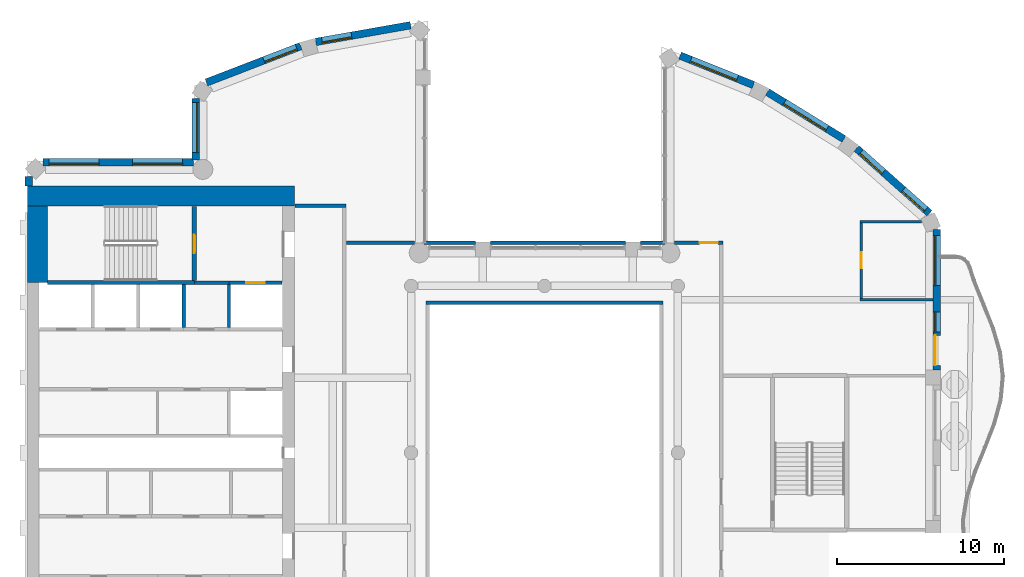
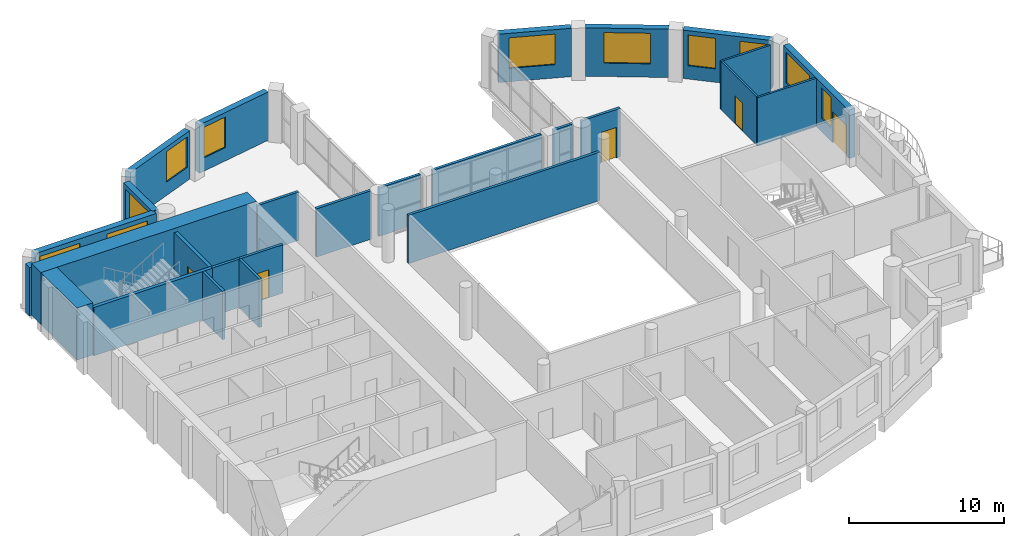
# One storey, part 7 of 14: 27 walls, 11 windows, 5 doors, 16 openings.
"""IFC4 building model written with IfcOpenShell, lengths in metres."""

from ifc_helpers import new_model, si_unit, direction, frame, frame_2d, origin, place, context, subcontext, project, spatial, rectangle, extrude, material, layer, layer_set, type_object, element, fill, save


model = new_model("IFC4")

# Units and contexts
model_context = context("Model", 3, precision=1e-05, world=origin(), true_north=direction((0.0, 1.0)))
body_context = subcontext(model_context, "Body", "Model", "MODEL_VIEW")
ifc_project = project(units=[si_unit("LENGTHUNIT", "METRE"), si_unit("AREAUNIT", "SQUARE_METRE"), si_unit("VOLUMEUNIT", "CUBIC_METRE"), si_unit("PLANEANGLEUNIT", "RADIAN"), si_unit("MASSUNIT", "GRAM", prefix="KILO")], contexts=[model_context])

# Site, building, storey
site_placement = place(None, origin())
site = spatial("IfcSite", under=ifc_project, at=site_placement, CompositionType="ELEMENT")
building_placement = place(site_placement, origin())
building = spatial("IfcBuilding", under=site, at=building_placement, Name="Cypress Arch Tower", CompositionType="ELEMENT")
storey_placement = place(building_placement, frame((0.0, 0.0, 325.39990234375)))
storey = spatial("IfcBuildingStorey", under=building, at=storey_placement, Name="L74", CompositionType="ELEMENT", Elevation=325.39990234375)

# Wall, opening, window
ifc_material_1 = material(Name="Brick (red buff blend)", Category="masonry")
ifc_layer_1 = layer(ifc_material_1, 0.449951171875)
ifc_layer_set_1 = layer_set([ifc_layer_1], Name="Brick pier and spandrel wall BW450")
wall_type_1 = type_object("IfcWallType", Name="Brick pier and spandrel wall BW450", PredefinedType="SOLIDWALL", material=ifc_layer_set_1)
wall_1_placement = place(storey_placement, frame((-7.028564453125, 25.63232421875, 0.0), z_axis=(0.0, 0.0, 1.0), x_axis=(-0.984797606634, -0.173705710808, 0.0)))
wall_1 = element("IfcWall", 1, at=wall_1_placement, inside=storey, type_object=wall_type_1, Name="Brick wall L74 C03.0", PredefinedType="SOLIDWALL", context=body_context, shape_type="SweptSolid", body=[
    extrude(rectangle(XDim=5.772216796875, YDim=0.449951171875, at=frame_2d((2.88623046875, 0.0))), origin(), (0.0, 0.0, 1.0), 3.800048828125),
])
opening_1_placement = place(wall_1_placement, frame((3.59326171875, 0.0, 1.050048828125)))
opening_1 = element("IfcOpeningElement", 2, at=opening_1_placement, cuts=wall_1, Name="Opening W180O", PredefinedType="OPENING", context=body_context, shape_type="SweptSolid", body=[
    extrude(rectangle(XDim=1.800048828125, YDim=2.39990234375, at=frame_2d((0.89990234375, 1.199951171875))), frame((0.0, 0.23486328125, 0.0), z_axis=(0.0, -1.0, 0.0), x_axis=(1.0, 0.0, 0.0)), (0.0, 0.0, 1.0), 0.469970703125),
])
ifc_material_2 = material(Name="Anodised aluminium, bronze finish, clear low-emissivity double glazing", Category="aluminium")
window_type_1 = type_object("IfcWindowType", Name="Window Office 1800x2400", PartitioningType="SINGLE_PANEL", PredefinedType="WINDOW", material=ifc_material_2)
window_1_placement = place(opening_1_placement, origin())
window_1 = element("IfcWindow", 3, at=window_1_placement, inside=storey, type_object=window_type_1, Name="Window L74 C03.0.2", OverallHeight=2.39990234375, OverallWidth=1.800048828125, PartitioningType="SINGLE_PANEL", PredefinedType="WINDOW", context=body_context, shape_type="SweptSolid", body=[
    extrude(rectangle(XDim=1.800048828125, YDim=2.39990234375, at=frame_2d((0.89990234375, 1.199951171875))), frame((0.0, 0.135009765625, 0.0), z_axis=(0.0, -1.0, 0.0), x_axis=(1.0, 0.0, 0.0)), (0.0, 0.0, 1.0), 0.06005859375),
])
fill(opening_1, window_1)

wall_2_placement = place(storey_placement, frame((-13.6220703125, 24.376953125, 0.0), z_axis=(0.0, 0.0, 1.0), x_axis=(-0.933129259679, -0.359541075164, 0.0)))
wall_2 = element("IfcWall", 4, at=wall_2_placement, inside=storey, type_object=wall_type_1, Name="Brick wall L74 C04.0", PredefinedType="SOLIDWALL", context=body_context, shape_type="SweptSolid", body=[
    extrude(rectangle(XDim=6.05419921875, YDim=0.449951171875, at=frame_2d((3.027099609375, 0.0))), origin(), (0.0, 0.0, 1.0), 3.800048828125),
])
opening_2_placement = place(wall_2_placement, frame((0.260986328125, 0.0, 1.050048828125)))
opening_2 = element("IfcOpeningElement", 5, at=opening_2_placement, cuts=wall_2, Name="Opening W210O", PredefinedType="OPENING", context=body_context, shape_type="SweptSolid", body=[
    extrude(rectangle(XDim=2.10009765625, YDim=2.39990234375, at=frame_2d((1.050048828125, 1.199951171875))), frame((0.0, 0.23486328125, 0.0), z_axis=(0.0, -1.0, 0.0), x_axis=(1.0, 0.0, 0.0)), (0.0, 0.0, 1.0), 0.469970703125),
])
ifc_material_3 = material(Name="Anodised aluminium, bronze finish, clear low-emissivity double glazing", Category="aluminium")
window_type_2 = type_object("IfcWindowType", Name="Window Office 2100x2400", PartitioningType="SINGLE_PANEL", PredefinedType="WINDOW", material=ifc_material_3)
window_2_placement = place(opening_2_placement, origin())
window_2 = element("IfcWindow", 6, at=window_2_placement, inside=storey, type_object=window_type_2, Name="Window L74 C04.0.1", OverallHeight=2.39990234375, OverallWidth=2.10009765625, PartitioningType="SINGLE_PANEL", PredefinedType="WINDOW", context=body_context, shape_type="SweptSolid", body=[
    extrude(rectangle(XDim=2.10009765625, YDim=2.39990234375, at=frame_2d((1.050048828125, 1.199951171875))), frame((0.0, 0.135009765625, 0.0), z_axis=(0.0, -1.0, 0.0), x_axis=(1.0, 0.0, 0.0)), (0.0, 0.0, 1.0), 0.06005859375),
])
fill(opening_2, window_2)

wall_3_placement = place(storey_placement, frame((-19.925048828125, 21.248291015625, 0.0), z_axis=(0.0, 0.0, 1.0), x_axis=(0.0, -1.0, 0.0)))
wall_3 = element("IfcWall", 7, at=wall_3_placement, inside=storey, type_object=wall_type_1, Name="Brick wall L74 C05.0", PredefinedType="SOLIDWALL", context=body_context, shape_type="SweptSolid", body=[
    extrude(rectangle(XDim=3.699951171875, YDim=0.449951171875, at=frame_2d((1.85009765625, 0.0))), origin(), (0.0, 0.0, 1.0), 3.800048828125),
])
opening_3_placement = place(wall_3_placement, frame((0.251220703125, 0.0, 1.050048828125)))
opening_3 = element("IfcOpeningElement", 8, at=opening_3_placement, cuts=wall_3, Name="Opening W300O", PredefinedType="OPENING", context=body_context, shape_type="SweptSolid", body=[
    extrude(rectangle(XDim=3.0, YDim=2.39990234375, at=frame_2d((1.5, 1.199951171875))), frame((0.0, 0.23486328125, 0.0), z_axis=(0.0, -1.0, 0.0), x_axis=(1.0, 0.0, 0.0)), (0.0, 0.0, 1.0), 0.469970703125),
])
ifc_material_4 = material(Name="Anodised aluminium, bronze finish, clear low-emissivity double glazing", Category="aluminium")
window_type_3 = type_object("IfcWindowType", Name="Window Office 3000x2400", PartitioningType="SINGLE_PANEL", PredefinedType="WINDOW", material=ifc_material_4)
window_3_placement = place(opening_3_placement, origin())
window_3 = element("IfcWindow", 9, at=window_3_placement, inside=storey, type_object=window_type_3, Name="Window L74 C05.0.1", OverallHeight=2.39990234375, OverallWidth=3.0, PartitioningType="SINGLE_PANEL", PredefinedType="WINDOW", context=body_context, shape_type="SweptSolid", body=[
    extrude(rectangle(XDim=3.0, YDim=2.39990234375, at=frame_2d((1.5, 1.199951171875))), frame((0.0, 0.135009765625, 0.0), z_axis=(0.0, -1.0, 0.0), x_axis=(1.0, 0.0, 0.0)), (0.0, 0.0, 1.0), 0.06005859375),
])
fill(opening_3, window_3)

# Wall, openings, windows
wall_4_placement = place(storey_placement, frame((-20.04833984375, 17.425048828125, 0.0), z_axis=(0.0, 0.0, 1.0), x_axis=(-1.0, 0.0, 0.0)))
wall_4 = element("IfcWall", 10, at=wall_4_placement, inside=storey, type_object=wall_type_1, Name="Brick wall L74 C06.0", PredefinedType="SOLIDWALL", context=body_context, shape_type="SweptSolid", body=[
    extrude(rectangle(XDim=9.015380859375, YDim=0.449951171875, at=frame_2d((4.5078125, 0.0))), origin(), (0.0, 0.0, 1.0), 3.800048828125),
])
opening_4_placement = place(wall_4_placement, frame((0.651611328125, 0.0, 1.050048828125)))
opening_4 = element("IfcOpeningElement", 11, at=opening_4_placement, cuts=wall_4, Name="Opening W300O", PredefinedType="OPENING", context=body_context, shape_type="SweptSolid", body=[
    extrude(rectangle(XDim=3.0, YDim=2.39990234375, at=frame_2d((1.5, 1.199951171875))), frame((0.0, 0.23486328125, 0.0), z_axis=(0.0, -1.0, 0.0), x_axis=(1.0, 0.0, 0.0)), (0.0, 0.0, 1.0), 0.469970703125),
])
opening_5_placement = place(wall_4_placement, frame((5.651611328125, 0.0, 1.050048828125)))
opening_5 = element("IfcOpeningElement", 12, at=opening_5_placement, cuts=wall_4, Name="Opening W300O", PredefinedType="OPENING", context=body_context, shape_type="SweptSolid", body=[
    extrude(rectangle(XDim=3.0, YDim=2.39990234375, at=frame_2d((1.5, 1.199951171875))), frame((0.0, 0.23486328125, 0.0), z_axis=(0.0, -1.0, 0.0), x_axis=(1.0, 0.0, 0.0)), (0.0, 0.0, 1.0), 0.469970703125),
])
window_4_placement = place(opening_4_placement, origin())
window_4 = element("IfcWindow", 13, at=window_4_placement, inside=storey, type_object=window_type_3, Name="Window L74 C06.0.1", OverallHeight=2.39990234375, OverallWidth=3.0, PartitioningType="SINGLE_PANEL", PredefinedType="WINDOW", context=body_context, shape_type="SweptSolid", body=[
    extrude(rectangle(XDim=3.0, YDim=2.39990234375, at=frame_2d((1.5, 1.199951171875))), frame((0.0, 0.135009765625, 0.0), z_axis=(0.0, -1.0, 0.0), x_axis=(1.0, 0.0, 0.0)), (0.0, 0.0, 1.0), 0.06005859375),
])
fill(opening_4, window_4)
window_5_placement = place(opening_5_placement, origin())
window_5 = element("IfcWindow", 14, at=window_5_placement, inside=storey, type_object=window_type_3, Name="Window L74 C06.0.2", OverallHeight=2.39990234375, OverallWidth=3.0, PartitioningType="SINGLE_PANEL", PredefinedType="WINDOW", context=body_context, shape_type="SweptSolid", body=[
    extrude(rectangle(XDim=3.0, YDim=2.39990234375, at=frame_2d((1.5, 1.199951171875))), frame((0.0, 0.135009765625, 0.0), z_axis=(0.0, -1.0, 0.0), x_axis=(1.0, 0.0, 0.0)), (0.0, 0.0, 1.0), 0.06005859375),
])
fill(opening_5, window_5)

# Wall
wall_5_placement = place(storey_placement, frame((-29.925048828125, 16.563720703125, 0.0), z_axis=(0.0, 0.0, 1.0), x_axis=(0.0, -1.0, 0.0)))
element("IfcWall", 15, at=wall_5_placement, inside=storey, type_object=wall_type_1, Name="Brick wall L74 C07.0", PredefinedType="SOLIDWALL", context=body_context, shape_type="SweptSolid", body=[
    extrude(rectangle(XDim=0.563720703125, YDim=0.449951171875, at=frame_2d((0.28173828125, 0.0))), origin(), (0.0, 0.0, 1.0), 3.800048828125),
])

# Wall, openings, door, windows
wall_6_placement = place(storey_placement, frame((24.52490234375, 4.949951171875, 0.0), z_axis=(0.0, 0.0, 1.0), x_axis=(0.0, 1.0, 0.0)))
wall_6 = element("IfcWall", 16, at=wall_6_placement, inside=storey, type_object=wall_type_1, Name="Brick wall L74 C17.2", PredefinedType="SOLIDWALL", context=body_context, shape_type="SweptSolid", body=[
    extrude(rectangle(XDim=8.421875, YDim=0.449951171875, at=frame_2d((4.2109375, 0.0))), origin(), (0.0, 0.0, 1.0), 3.800048828125),
])
opening_6_placement = place(wall_6_placement, frame((0.291259765625, 0.0, 0.0)))
opening_6 = element("IfcOpeningElement", 17, at=opening_6_placement, cuts=wall_6, Name="Opening D-L74-C17.2.1", PredefinedType="OPENING", context=body_context, shape_type="SweptSolid", body=[
    extrude(rectangle(XDim=1.800048828125, YDim=2.39990234375, at=frame_2d((0.89990234375, 1.199951171875))), frame((0.0, 0.23486328125, 0.0), z_axis=(0.0, -1.0, 0.0), x_axis=(1.0, 0.0, 0.0)), (0.0, 0.0, 1.0), 0.469970703125),
])
opening_7_placement = place(wall_6_placement, frame((2.291259765625, 0.0, 1.050048828125)))
opening_7 = element("IfcOpeningElement", 18, at=opening_7_placement, cuts=wall_6, Name="Opening W120OD", PredefinedType="OPENING", context=body_context, shape_type="SweptSolid", body=[
    extrude(rectangle(XDim=1.199951171875, YDim=2.39990234375, at=frame_2d((0.60009765625, 1.199951171875))), frame((0.0, 0.23486328125, 0.0), z_axis=(0.0, -1.0, 0.0), x_axis=(1.0, 0.0, 0.0)), (0.0, 0.0, 1.0), 0.469970703125),
])
opening_8_placement = place(wall_6_placement, frame((5.073974609375, 0.0, 1.050048828125)))
opening_8 = element("IfcOpeningElement", 19, at=opening_8_placement, cuts=wall_6, Name="Opening W300OD", PredefinedType="OPENING", context=body_context, shape_type="SweptSolid", body=[
    extrude(rectangle(XDim=3.0, YDim=2.39990234375, at=frame_2d((1.5, 1.199951171875))), frame((0.0, 0.23486328125, 0.0), z_axis=(0.0, -1.0, 0.0), x_axis=(1.0, 0.0, 0.0)), (0.0, 0.0, 1.0), 0.469970703125),
])
ifc_material_5 = material(Name="Anodised aluminium, bronze finish, laminated low-emissivity double glazing, large-missile impact rated", Category="aluminium")
door_type_1 = type_object("IfcDoorType", Name="Balcony sliding door 1800x2400", OperationType="SLIDING_TO_LEFT", PredefinedType="DOOR", material=ifc_material_5)
door_1_placement = place(opening_6_placement, origin())
door_1 = element("IfcDoor", 20, at=door_1_placement, inside=storey, type_object=door_type_1, Name="Balcony door L74 C17.2.1", OperationType="SLIDING_TO_LEFT", OverallHeight=2.39990234375, OverallWidth=1.800048828125, PredefinedType="DOOR", context=body_context, shape_type="SweptSolid", body=[
    extrude(rectangle(XDim=1.800048828125, YDim=2.39990234375, at=frame_2d((0.89990234375, 1.199951171875))), frame((0.0, 0.1298828125, 0.0), z_axis=(0.0, -1.0, 0.0), x_axis=(1.0, 0.0, 0.0)), (0.0, 0.0, 1.0), 0.050048828125),
])
fill(opening_6, door_1)
ifc_material_6 = material(Name="Anodised aluminium, bronze finish, laminated low-emissivity double glazing, large-missile impact rated", Category="aluminium")
window_type_4 = type_object("IfcWindowType", Name="Window Office 1200x2400 debris-rated", PartitioningType="SINGLE_PANEL", PredefinedType="WINDOW", material=ifc_material_6)
window_6_placement = place(opening_7_placement, origin())
window_6 = element("IfcWindow", 21, at=window_6_placement, inside=storey, type_object=window_type_4, Name="Window L74 C17.2.1", OverallHeight=2.39990234375, OverallWidth=1.199951171875, PartitioningType="SINGLE_PANEL", PredefinedType="WINDOW", context=body_context, shape_type="SweptSolid", body=[
    extrude(rectangle(XDim=1.199951171875, YDim=2.39990234375, at=frame_2d((0.60009765625, 1.199951171875))), frame((0.0, 0.135009765625, 0.0), z_axis=(0.0, -1.0, 0.0), x_axis=(1.0, 0.0, 0.0)), (0.0, 0.0, 1.0), 0.06005859375),
])
fill(opening_7, window_6)
ifc_material_7 = material(Name="Anodised aluminium, bronze finish, laminated low-emissivity double glazing, large-missile impact rated", Category="aluminium")
window_type_5 = type_object("IfcWindowType", Name="Window Office 3000x2400 debris-rated", PartitioningType="SINGLE_PANEL", PredefinedType="WINDOW", material=ifc_material_7)
window_7_placement = place(opening_8_placement, origin())
window_7 = element("IfcWindow", 22, at=window_7_placement, inside=storey, type_object=window_type_5, Name="Window L74 C17.2.2", OverallHeight=2.39990234375, OverallWidth=3.0, PartitioningType="SINGLE_PANEL", PredefinedType="WINDOW", context=body_context, shape_type="SweptSolid", body=[
    extrude(rectangle(XDim=3.0, YDim=2.39990234375, at=frame_2d((1.5, 1.199951171875))), frame((0.0, 0.135009765625, 0.0), z_axis=(0.0, -1.0, 0.0), x_axis=(1.0, 0.0, 0.0)), (0.0, 0.0, 1.0), 0.06005859375),
])
fill(opening_8, window_7)

# Wall, openings, windows
wall_7_placement = place(storey_placement, frame((24.08056640625, 14.361083984375, 0.0), z_axis=(0.0, 0.0, 1.0), x_axis=(-0.747570482973, 0.664182484704, 0.0)))
wall_7 = element("IfcWall", 23, at=wall_7_placement, inside=storey, type_object=wall_type_1, Name="Brick wall L74 C18.0", PredefinedType="SOLIDWALL", context=body_context, shape_type="SweptSolid", body=[
    extrude(rectangle(XDim=5.849609375, YDim=0.449951171875, at=frame_2d((2.9248046875, 0.0))), origin(), (0.0, 0.0, 1.0), 3.800048828125),
])
opening_9_placement = place(wall_7_placement, frame((0.305419921875, 0.0, 1.050048828125)))
opening_9 = element("IfcOpeningElement", 24, at=opening_9_placement, cuts=wall_7, Name="Opening W180O", PredefinedType="OPENING", context=body_context, shape_type="SweptSolid", body=[
    extrude(rectangle(XDim=1.800048828125, YDim=2.39990234375, at=frame_2d((0.89990234375, 1.199951171875))), frame((0.0, 0.23486328125, 0.0), z_axis=(0.0, -1.0, 0.0), x_axis=(1.0, 0.0, 0.0)), (0.0, 0.0, 1.0), 0.469970703125),
])
opening_10_placement = place(wall_7_placement, frame((3.702880859375, 0.0, 1.050048828125)))
opening_10 = element("IfcOpeningElement", 25, at=opening_10_placement, cuts=wall_7, Name="Opening W180O", PredefinedType="OPENING", context=body_context, shape_type="SweptSolid", body=[
    extrude(rectangle(XDim=1.800048828125, YDim=2.39990234375, at=frame_2d((0.89990234375, 1.199951171875))), frame((0.0, 0.23486328125, 0.0), z_axis=(0.0, -1.0, 0.0), x_axis=(1.0, 0.0, 0.0)), (0.0, 0.0, 1.0), 0.469970703125),
])
window_8_placement = place(opening_9_placement, origin())
window_8 = element("IfcWindow", 26, at=window_8_placement, inside=storey, type_object=window_type_1, Name="Window L74 C18.0.1", OverallHeight=2.39990234375, OverallWidth=1.800048828125, PartitioningType="SINGLE_PANEL", PredefinedType="WINDOW", context=body_context, shape_type="SweptSolid", body=[
    extrude(rectangle(XDim=1.800048828125, YDim=2.39990234375, at=frame_2d((0.89990234375, 1.199951171875))), frame((0.0, 0.135009765625, 0.0), z_axis=(0.0, -1.0, 0.0), x_axis=(1.0, 0.0, 0.0)), (0.0, 0.0, 1.0), 0.06005859375),
])
fill(opening_9, window_8)
window_9_placement = place(opening_10_placement, origin())
window_9 = element("IfcWindow", 27, at=window_9_placement, inside=storey, type_object=window_type_1, Name="Window L74 C18.0.2", OverallHeight=2.39990234375, OverallWidth=1.800048828125, PartitioningType="SINGLE_PANEL", PredefinedType="WINDOW", context=body_context, shape_type="SweptSolid", body=[
    extrude(rectangle(XDim=1.800048828125, YDim=2.39990234375, at=frame_2d((0.89990234375, 1.199951171875))), frame((0.0, 0.135009765625, 0.0), z_axis=(0.0, -1.0, 0.0), x_axis=(1.0, 0.0, 0.0)), (0.0, 0.0, 1.0), 0.06005859375),
])
fill(opening_10, window_9)

# Wall, opening, window
wall_8_placement = place(storey_placement, frame((18.953369140625, 18.806396484375, 0.0), z_axis=(0.0, 0.0, 1.0), x_axis=(-0.851860664503, 0.523768468193, 0.0)))
wall_8 = element("IfcWall", 28, at=wall_8_placement, inside=storey, type_object=wall_type_1, Name="Brick wall L74 C19.0", PredefinedType="SOLIDWALL", context=body_context, shape_type="SweptSolid", body=[
    extrude(rectangle(XDim=5.3837890625, YDim=0.449951171875, at=frame_2d((2.69189453125, 0.0))), origin(), (0.0, 0.0, 1.0), 3.800048828125),
])
opening_11_placement = place(wall_8_placement, frame((1.19189453125, 0.0, 1.050048828125)))
opening_11 = element("IfcOpeningElement", 29, at=opening_11_placement, cuts=wall_8, Name="Opening W300O", PredefinedType="OPENING", context=body_context, shape_type="SweptSolid", body=[
    extrude(rectangle(XDim=3.0, YDim=2.39990234375, at=frame_2d((1.5, 1.199951171875))), frame((0.0, 0.23486328125, 0.0), z_axis=(0.0, -1.0, 0.0), x_axis=(1.0, 0.0, 0.0)), (0.0, 0.0, 1.0), 0.469970703125),
])
window_10_placement = place(opening_11_placement, origin())
window_10 = element("IfcWindow", 30, at=window_10_placement, inside=storey, type_object=window_type_3, Name="Window L74 C19.0.1", OverallHeight=2.39990234375, OverallWidth=3.0, PartitioningType="SINGLE_PANEL", PredefinedType="WINDOW", context=body_context, shape_type="SweptSolid", body=[
    extrude(rectangle(XDim=3.0, YDim=2.39990234375, at=frame_2d((1.5, 1.199951171875))), frame((0.0, 0.135009765625, 0.0), z_axis=(0.0, -1.0, 0.0), x_axis=(1.0, 0.0, 0.0)), (0.0, 0.0, 1.0), 0.06005859375),
])
fill(opening_11, window_10)

wall_9_placement = place(storey_placement, frame((13.529296875, 22.04833984375, 0.0), z_axis=(0.0, 0.0, 1.0), x_axis=(-0.927957332619, 0.372686448424, 0.0)))
wall_9 = element("IfcWall", 31, at=wall_9_placement, inside=storey, type_object=wall_type_1, Name="Brick wall L74 C20.0", PredefinedType="SOLIDWALL", context=body_context, shape_type="SweptSolid", body=[
    extrude(rectangle(XDim=4.741455078125, YDim=0.449951171875, at=frame_2d((2.37060546875, 0.0))), origin(), (0.0, 0.0, 1.0), 3.800048828125),
])
opening_12_placement = place(wall_9_placement, frame((1.046630859375, 0.0, 1.050048828125)))
opening_12 = element("IfcOpeningElement", 32, at=opening_12_placement, cuts=wall_9, Name="Opening W300O", PredefinedType="OPENING", context=body_context, shape_type="SweptSolid", body=[
    extrude(rectangle(XDim=3.0, YDim=2.39990234375, at=frame_2d((1.5, 1.199951171875))), frame((0.0, 0.23486328125, 0.0), z_axis=(0.0, -1.0, 0.0), x_axis=(1.0, 0.0, 0.0)), (0.0, 0.0, 1.0), 0.469970703125),
])
window_11_placement = place(opening_12_placement, origin())
window_11 = element("IfcWindow", 33, at=window_11_placement, inside=storey, type_object=window_type_3, Name="Window L74 C20.0.1", OverallHeight=2.39990234375, OverallWidth=3.0, PartitioningType="SINGLE_PANEL", PredefinedType="WINDOW", context=body_context, shape_type="SweptSolid", body=[
    extrude(rectangle(XDim=3.0, YDim=2.39990234375, at=frame_2d((1.5, 1.199951171875))), frame((0.0, 0.135009765625, 0.0), z_axis=(0.0, -1.0, 0.0), x_axis=(1.0, 0.0, 0.0)), (0.0, 0.0, 1.0), 0.06005859375),
])
fill(opening_12, window_11)

# Walls
ifc_material_8 = material(Name="Concrete C60/75", Category="concrete")
ifc_layer_2 = layer(ifc_material_8, 1.199951171875)
ifc_layer_set_2 = layer_set([ifc_layer_2], Name="Core wall CW1200 C60/75")
wall_type_2 = type_object("IfcWallType", Name="Core wall CW1200 C60/75", PredefinedType="SHEAR", material=ifc_layer_set_2)
wall_10_placement = place(storey_placement, frame((-30.0, 15.39990234375, 0.0), z_axis=(0.0, 0.0, 1.0), x_axis=(1.0, 0.0, 0.0)))
element("IfcWall", 34, at=wall_10_placement, inside=storey, type_object=wall_type_2, Name="Core wall", PredefinedType="SHEAR", context=body_context, shape_type="SweptSolid", body=[
    extrude(rectangle(XDim=16.0, YDim=1.199951171875, at=frame_2d((8.0, 0.0))), origin(), (0.0, 0.0, 1.0), 4.10009765625),
])
wall_11_placement = place(storey_placement, frame((-29.39990234375, 10.199951171875, 0.0), z_axis=(0.0, 0.0, 1.0), x_axis=(0.0, 1.0, 0.0)))
element("IfcWall", 35, at=wall_11_placement, inside=storey, type_object=wall_type_2, Name="Core wall", PredefinedType="SHEAR", context=body_context, shape_type="SweptSolid", body=[
    extrude(rectangle(XDim=4.60009765625, YDim=1.199951171875, at=frame_2d((2.300048828125, 0.0))), origin(), (0.0, 0.0, 1.0), 4.10009765625),
])
ifc_material_9 = material(Name="Concrete blockwork, plastered, rated", Category="masonry")
ifc_layer_3 = layer(ifc_material_9, 0.199951171875)
ifc_layer_set_3 = layer_set([ifc_layer_3], Name="Corridor wall FW200")
wall_type_3 = type_object("IfcWallType", Name="Corridor wall FW200", PredefinedType="PARTITIONING", material=ifc_layer_set_3)
wall_12_placement = place(storey_placement, frame((-20.0, 10.199951171875, 0.0), z_axis=(0.0, 0.0, 1.0), x_axis=(1.0, 0.0, 0.0)))
element("IfcWall", 36, at=wall_12_placement, inside=storey, type_object=wall_type_3, Name="Corridor wall", PredefinedType="PARTITIONING", context=body_context, shape_type="SweptSolid", body=[
    extrude(rectangle(XDim=2.080078125, YDim=0.199951171875, at=frame_2d((1.0400390625, 0.0))), origin(), (0.0, 0.0, 1.0), 3.800048828125),
])
wall_13_placement = place(storey_placement, frame((-13.969970703125, 14.800048828125, 0.0), z_axis=(0.0, 0.0, 1.0), x_axis=(1.0, 0.0, 0.0)))
element("IfcWall", 37, at=wall_13_placement, inside=storey, type_object=wall_type_3, Name="Corridor wall", PredefinedType="PARTITIONING", context=body_context, shape_type="SweptSolid", body=[
    extrude(rectangle(XDim=3.070068359375, YDim=0.199951171875, at=frame_2d((1.53515625, 0.0))), origin(), (0.0, 0.0, 1.0), 3.800048828125),
])
wall_14_placement = place(storey_placement, frame((-10.8798828125, 12.60009765625, 0.0), z_axis=(0.0, 0.0, 1.0), x_axis=(1.0, 0.0, 0.0)))
element("IfcWall", 38, at=wall_14_placement, inside=storey, type_object=wall_type_3, Name="Corridor wall", PredefinedType="PARTITIONING", context=body_context, shape_type="SweptSolid", body=[
    extrude(rectangle(XDim=4.079833984375, YDim=0.199951171875, at=frame_2d((2.0400390625, 0.0))), origin(), (0.0, 0.0, 1.0), 3.800048828125),
])
wall_15_placement = place(storey_placement, frame((-6.22998046875, 12.60009765625, 0.0), z_axis=(0.0, 0.0, 1.0), x_axis=(1.0, 0.0, 0.0)))
element("IfcWall", 39, at=wall_15_placement, inside=storey, type_object=wall_type_3, Name="Corridor wall", PredefinedType="PARTITIONING", context=body_context, shape_type="SweptSolid", body=[
    extrude(rectangle(XDim=3.080078125, YDim=0.199951171875, at=frame_2d((1.5400390625, 0.0))), origin(), (0.0, 0.0, 1.0), 3.800048828125),
])
wall_16_placement = place(storey_placement, frame((-2.25, 12.60009765625, 0.0), z_axis=(0.0, 0.0, 1.0), x_axis=(1.0, 0.0, 0.0)))
element("IfcWall", 40, at=wall_16_placement, inside=storey, type_object=wall_type_3, Name="Corridor wall", PredefinedType="PARTITIONING", context=body_context, shape_type="SweptSolid", body=[
    extrude(rectangle(XDim=8.10009765625, YDim=0.199951171875, at=frame_2d((4.050048828125, 0.0))), origin(), (0.0, 0.0, 1.0), 3.800048828125),
])
wall_17_placement = place(storey_placement, frame((6.75, 12.60009765625, 0.0), z_axis=(0.0, 0.0, 1.0), x_axis=(1.0, 0.0, 0.0)))
element("IfcWall", 41, at=wall_17_placement, inside=storey, type_object=wall_type_3, Name="Corridor wall", PredefinedType="PARTITIONING", context=body_context, shape_type="SweptSolid", body=[
    extrude(rectangle(XDim=1.47998046875, YDim=0.199951171875, at=frame_2d((0.739990234375, 0.0))), origin(), (0.0, 0.0, 1.0), 3.800048828125),
])
wall_18_placement = place(storey_placement, frame((-6.10009765625, 9.0, 0.0), z_axis=(0.0, 0.0, 1.0), x_axis=(1.0, 0.0, 0.0)))
element("IfcWall", 42, at=wall_18_placement, inside=storey, type_object=wall_type_3, Name="Corridor wall", PredefinedType="PARTITIONING", context=body_context, shape_type="SweptSolid", body=[
    extrude(rectangle(XDim=14.2001953125, YDim=0.199951171875, at=frame_2d((7.10009765625, 0.0))), origin(), (0.0, 0.0, 1.0), 3.800048828125),
])

# Wall, opening, door
wall_19_placement = place(storey_placement, frame((8.800048828125, 12.60009765625, 0.0), z_axis=(0.0, 0.0, 1.0), x_axis=(1.0, 0.0, 0.0)))
wall_19 = element("IfcWall", 43, at=wall_19_placement, inside=storey, type_object=wall_type_3, Name="Corridor wall", PredefinedType="PARTITIONING", context=body_context, shape_type="SweptSolid", body=[
    extrude(rectangle(XDim=2.89990234375, YDim=0.199951171875, at=frame_2d((1.449951171875, 0.0))), origin(), (0.0, 0.0, 1.0), 3.800048828125),
])
opening_13_placement = place(wall_19_placement, frame((1.5, 0.0, 0.0)))
opening_13 = element("IfcOpeningElement", 44, at=opening_13_placement, cuts=wall_19, Name="Opening D01", PredefinedType="OPENING", context=body_context, shape_type="SweptSolid", body=[
    extrude(rectangle(XDim=1.10009765625, YDim=2.39990234375, at=frame_2d((0.550048828125, 1.199951171875))), frame((0.0, 0.10986328125, 0.0), z_axis=(0.0, -1.0, 0.0), x_axis=(1.0, 0.0, 0.0)), (0.0, 0.0, 1.0), 0.219970703125),
])
ifc_material_10 = material(Name="Timber flush door, fire resisting, self-closing", Category="wood")
door_type_2 = type_object("IfcDoorType", Name="Unit entrance door D01 1100x2400", OperationType="SINGLE_SWING_LEFT", PredefinedType="DOOR", material=ifc_material_10)
door_2_placement = place(opening_13_placement, origin())
door_2 = element("IfcDoor", 45, at=door_2_placement, inside=storey, type_object=door_type_2, Name="Unit entrance door", OperationType="SINGLE_SWING_RIGHT", OverallHeight=2.39990234375, OverallWidth=1.10009765625, PredefinedType="DOOR", context=body_context, shape_type="SweptSolid", body=[
    extrude(rectangle(XDim=1.10009765625, YDim=2.39990234375, at=frame_2d((0.550048828125, 1.199951171875))), frame((0.0, 0.02490234375, 0.0), z_axis=(0.0, -1.0, 0.0), x_axis=(1.0, 0.0, 0.0)), (0.0, 0.0, 1.0), 0.050048828125),
])
fill(opening_13, door_2)

ifc_material_11 = material(Name="Blockwork, plastered both sides", Category="masonry")
ifc_layer_4 = layer(ifc_material_11, 0.14990234375)
ifc_layer_set_4 = layer_set([ifc_layer_4], Name="Partition PW150")
wall_type_4 = type_object("IfcWallType", Name="Partition PW150", PredefinedType="PARTITIONING", material=ifc_layer_set_4)
wall_20_placement = place(storey_placement, frame((20.0, 9.258056640625, 0.0), z_axis=(0.0, 0.0, 1.0), x_axis=(0.0, 1.0, 0.0)))
wall_20 = element("IfcWall", 46, at=wall_20_placement, inside=storey, type_object=wall_type_4, Name="Partition", PredefinedType="PARTITIONING", context=body_context, shape_type="SweptSolid", body=[
    extrude(rectangle(XDim=4.531982421875, YDim=0.14990234375, at=frame_2d((2.26611328125, 0.0))), origin(), (0.0, 0.0, 1.0), 3.800048828125),
])
opening_14_placement = place(wall_20_placement, frame((1.800048828125, 0.0, 0.0)))
opening_14 = element("IfcOpeningElement", 47, at=opening_14_placement, cuts=wall_20, Name="Opening D12", PredefinedType="OPENING", context=body_context, shape_type="SweptSolid", body=[
    extrude(rectangle(XDim=0.949951171875, YDim=2.199951171875, at=frame_2d((0.47509765625, 1.10009765625))), frame((0.0, 0.0849609375, 0.0), z_axis=(0.0, -1.0, 0.0), x_axis=(1.0, 0.0, 0.0)), (0.0, 0.0, 1.0), 0.169921875),
])
ifc_material_12 = material(Name="Timber flush door", Category="wood")
door_type_3 = type_object("IfcDoorType", Name="Room door D12 950x2200", OperationType="SINGLE_SWING_LEFT", PredefinedType="DOOR", material=ifc_material_12)
door_3_placement = place(opening_14_placement, origin())
door_3 = element("IfcDoor", 48, at=door_3_placement, inside=storey, type_object=door_type_3, Name="Room door", OperationType="SINGLE_SWING_RIGHT", OverallHeight=2.199951171875, OverallWidth=0.949951171875, PredefinedType="DOOR", context=body_context, shape_type="SweptSolid", body=[
    extrude(rectangle(XDim=0.949951171875, YDim=2.199951171875, at=frame_2d((0.47509765625, 1.10009765625))), frame((0.0, 0.02490234375, 0.0), z_axis=(0.0, -1.0, 0.0), x_axis=(1.0, 0.0, 0.0)), (0.0, 0.0, 1.0), 0.050048828125),
])
fill(opening_14, door_3)

# Walls
wall_21_placement = place(storey_placement, frame((19.925048828125, 9.18310546875, 0.0), z_axis=(0.0, 0.0, 1.0), x_axis=(1.0, 0.0, 0.0)))
element("IfcWall", 49, at=wall_21_placement, inside=storey, type_object=wall_type_4, Name="Partition", PredefinedType="PARTITIONING", context=body_context, shape_type="SweptSolid", body=[
    extrude(rectangle(XDim=4.375, YDim=0.14990234375, at=frame_2d((2.1875, 0.0))), origin(), (0.0, 0.0, 1.0), 3.800048828125),
])
wall_22_placement = place(storey_placement, frame((19.925048828125, 13.864990234375, 0.0), z_axis=(0.0, 0.0, 1.0), x_axis=(1.0, 0.0, 0.0)))
element("IfcWall", 50, at=wall_22_placement, inside=storey, type_object=wall_type_4, Name="Partition", PredefinedType="PARTITIONING", context=body_context, shape_type="SweptSolid", body=[
    extrude(rectangle(XDim=3.677734375, YDim=0.14990234375, at=frame_2d((1.8388671875, 0.0))), origin(), (0.0, 0.0, 1.0), 3.800048828125),
])
ifc_material_13 = material(Name="Concrete C50/60", Category="concrete")
ifc_layer_5 = layer(ifc_material_13, 0.199951171875)
ifc_layer_set_5 = layer_set([ifc_layer_5], Name="Shaft wall SH200")
wall_type_5 = type_object("IfcWallType", Name="Shaft wall SH200", PredefinedType="SHEAR", material=ifc_layer_set_5)
wall_23_placement = place(storey_placement, frame((-20.639892578125, 7.5, 0.0), z_axis=(0.0, 0.0, 1.0), x_axis=(0.0, 1.0, 0.0)))
element("IfcWall", 51, at=wall_23_placement, inside=storey, type_object=wall_type_5, Name="Shaft wall", PredefinedType="SHEAR", context=body_context, shape_type="SweptSolid", body=[
    extrude(rectangle(XDim=2.574951171875, YDim=0.199951171875, at=frame_2d((1.28759765625, 0.0))), origin(), (0.0, 0.0, 1.0), 3.800048828125),
])
wall_24_placement = place(storey_placement, frame((-17.919921875, 7.5, 0.0), z_axis=(0.0, 0.0, 1.0), x_axis=(0.0, 1.0, 0.0)))
element("IfcWall", 52, at=wall_24_placement, inside=storey, type_object=wall_type_5, Name="Shaft wall", PredefinedType="SHEAR", context=body_context, shape_type="SweptSolid", body=[
    extrude(rectangle(XDim=2.60009765625, YDim=0.199951171875, at=frame_2d((1.300048828125, 0.0))), origin(), (0.0, 0.0, 1.0), 3.800048828125),
])

# Wall, opening, door
wall_25_placement = place(storey_placement, frame((-17.919921875, 10.199951171875, 0.0), z_axis=(0.0, 0.0, 1.0), x_axis=(1.0, 0.0, 0.0)))
wall_25 = element("IfcWall", 53, at=wall_25_placement, inside=storey, type_object=wall_type_5, Name="Shaft wall", PredefinedType="SHEAR", context=body_context, shape_type="SweptSolid", body=[
    extrude(rectangle(XDim=3.18994140625, YDim=0.199951171875, at=frame_2d((1.594970703125, 0.0))), origin(), (0.0, 0.0, 1.0), 3.800048828125),
])
opening_15_placement = place(wall_25_placement, frame((1.050048828125, 0.0, 0.0)))
opening_15 = element("IfcOpeningElement", 54, at=opening_15_placement, cuts=wall_25, Name="Opening LD-FL2", PredefinedType="OPENING", context=body_context, shape_type="SweptSolid", body=[
    extrude(rectangle(XDim=1.10009765625, YDim=2.199951171875, at=frame_2d((0.550048828125, 1.10009765625))), frame((0.0, 0.10986328125, 0.0), z_axis=(0.0, -1.0, 0.0), x_axis=(1.0, 0.0, 0.0)), (0.0, 0.0, 1.0), 0.219970703125),
])
ifc_material_14 = material(Name="Stainless steel centre-opening landing door, rated", Category="steel")
door_type_4 = type_object("IfcDoorType", Name="Lift landing door LD 1100x2200", OperationType="DOUBLE_DOOR_SLIDING", PredefinedType="DOOR", material=ifc_material_14)
door_4_placement = place(opening_15_placement, origin())
door_4 = element("IfcDoor", 55, at=door_4_placement, inside=storey, type_object=door_type_4, Name="Lift landing doors FL2", OperationType="DOUBLE_DOOR_SLIDING", OverallHeight=2.199951171875, OverallWidth=1.10009765625, PredefinedType="DOOR", context=body_context, shape_type="SweptSolid", body=[
    extrude(rectangle(XDim=1.10009765625, YDim=2.199951171875, at=frame_2d((0.550048828125, 1.10009765625))), frame((0.0, 0.02490234375, 0.0), z_axis=(0.0, -1.0, 0.0), x_axis=(1.0, 0.0, 0.0)), (0.0, 0.0, 1.0), 0.050048828125),
])
fill(opening_15, door_4)

# Wall
ifc_material_15 = material(Name="Concrete C50/60", Category="concrete")
ifc_layer_6 = layer(ifc_material_15, 0.25)
ifc_layer_set_6 = layer_set([ifc_layer_6], Name="Stair enclosure wall SW250")
wall_type_6 = type_object("IfcWallType", Name="Stair enclosure wall SW250", PredefinedType="SHEAR", material=ifc_layer_set_6)
wall_26_placement = place(storey_placement, frame((-28.81005859375, 10.199951171875, 0.0), z_axis=(0.0, 0.0, 1.0), x_axis=(1.0, 0.0, 0.0)))
element("IfcWall", 56, at=wall_26_placement, inside=storey, type_object=wall_type_6, Name="Stair enclosure wall", PredefinedType="SHEAR", context=body_context, shape_type="SweptSolid", body=[
    extrude(rectangle(XDim=8.81005859375, YDim=0.25, at=frame_2d((4.405029296875, 0.0))), origin(), (0.0, 0.0, 1.0), 3.800048828125),
])

# Wall, opening, door
wall_27_placement = place(storey_placement, frame((-20.0, 10.324951171875, 0.0), z_axis=(0.0, 0.0, 1.0), x_axis=(0.0, 1.0, 0.0)))
wall_27 = element("IfcWall", 57, at=wall_27_placement, inside=storey, type_object=wall_type_6, Name="Stair enclosure wall", PredefinedType="SHEAR", context=body_context, shape_type="SweptSolid", body=[
    extrude(rectangle(XDim=4.445068359375, YDim=0.25, at=frame_2d((2.22265625, 0.0))), origin(), (0.0, 0.0, 1.0), 3.800048828125),
])
opening_16_placement = place(wall_27_placement, frame((1.64990234375, 0.0, 0.0)))
opening_16 = element("IfcOpeningElement", 58, at=opening_16_placement, cuts=wall_27, Name="Opening D06", PredefinedType="OPENING", context=body_context, shape_type="SweptSolid", body=[
    extrude(rectangle(XDim=1.10009765625, YDim=2.199951171875, at=frame_2d((0.550048828125, 1.10009765625))), frame((0.0, 0.135009765625, 0.0), z_axis=(0.0, -1.0, 0.0), x_axis=(1.0, 0.0, 0.0)), (0.0, 0.0, 1.0), 0.27001953125),
])
ifc_material_16 = material(Name="Steel door, fire resisting, panic bar", Category="steel")
door_type_5 = type_object("IfcDoorType", Name="Stair door D06 1100x2200", OperationType="SINGLE_SWING_LEFT", PredefinedType="DOOR", material=ifc_material_16)
door_5_placement = place(opening_16_placement, origin())
door_5 = element("IfcDoor", 59, at=door_5_placement, inside=storey, type_object=door_type_5, Name="Stair door", OperationType="SINGLE_SWING_LEFT", OverallHeight=2.199951171875, OverallWidth=1.10009765625, PredefinedType="DOOR", context=body_context, shape_type="SweptSolid", body=[
    extrude(rectangle(XDim=1.10009765625, YDim=2.199951171875, at=frame_2d((0.550048828125, 1.10009765625))), frame((0.0, 0.02490234375, 0.0), z_axis=(0.0, -1.0, 0.0), x_axis=(1.0, 0.0, 0.0)), (0.0, 0.0, 1.0), 0.050048828125),
])
fill(opening_16, door_5)

save(model, "model.ifc")
